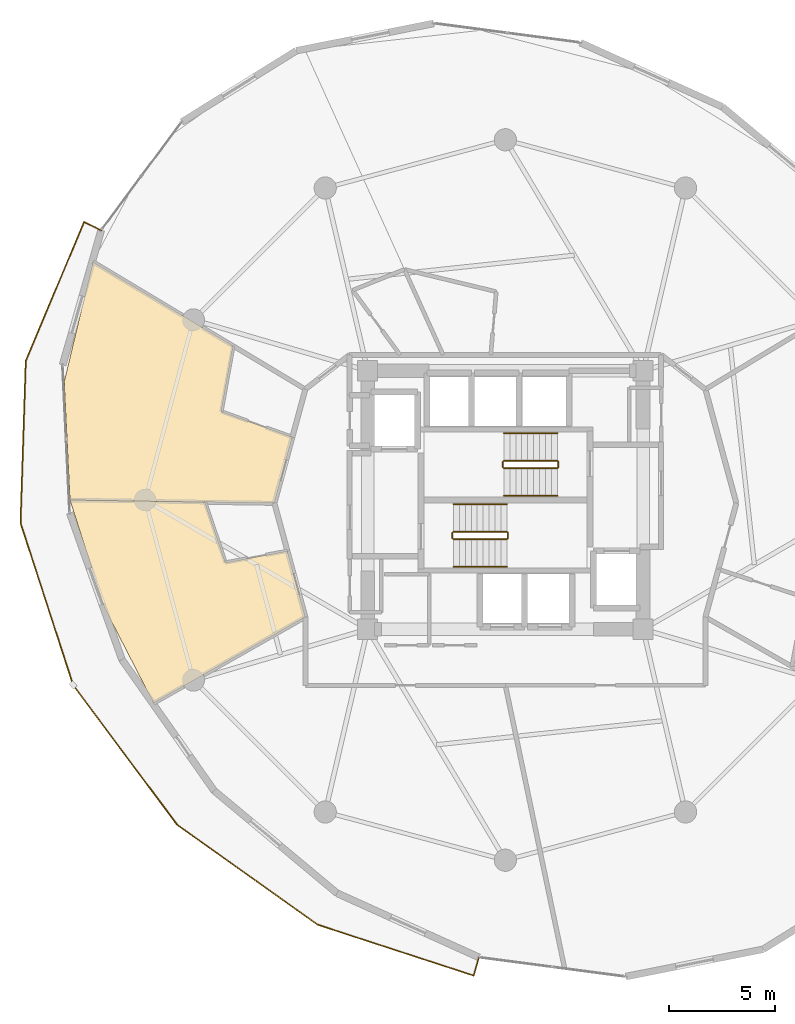
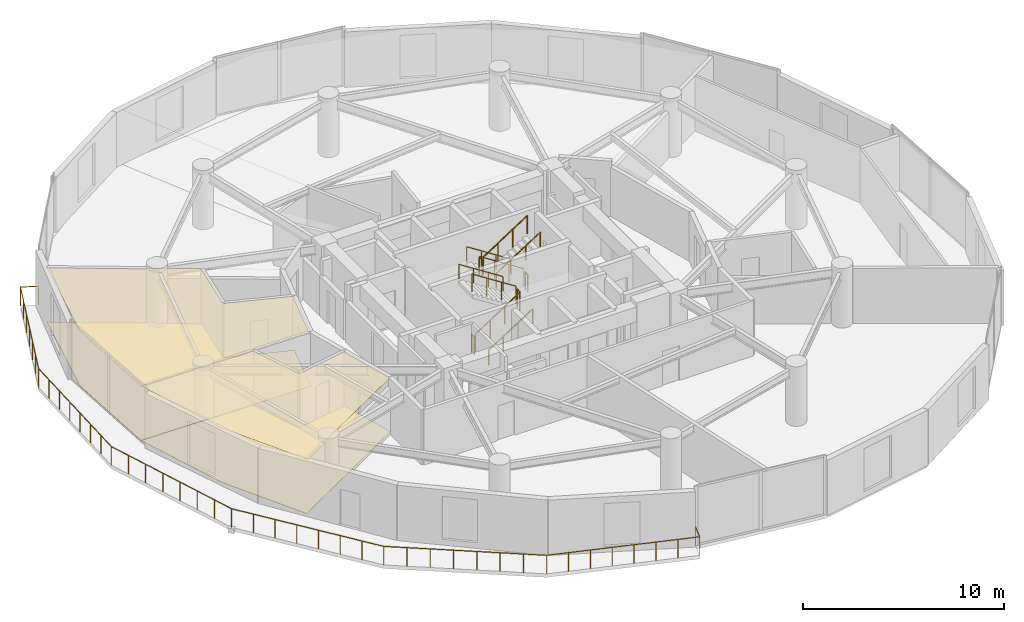
# One storey, part 21 of 22: 13 railings, 4 coverings.
"""IFC4 building model written with IfcOpenShell, lengths in metres."""

from ifc_helpers import new_model, si_unit, direction, frame, origin, origin_2d, place, context, subcontext, project, spatial, polyline, circle, outline, extrude, material, layer, layer_set, type_object, element, save


model = new_model("IFC4")

# Units and contexts
model_context = context("Model", 3, precision=1e-05, world=origin(), true_north=direction((0.0, 1.0)))
body_context = subcontext(model_context, "Body", "Model", "MODEL_VIEW")
ifc_project = project(units=[si_unit("LENGTHUNIT", "METRE"), si_unit("AREAUNIT", "SQUARE_METRE"), si_unit("VOLUMEUNIT", "CUBIC_METRE"), si_unit("PLANEANGLEUNIT", "RADIAN"), si_unit("MASSUNIT", "GRAM", prefix="KILO")], contexts=[model_context])

# Site, building, storey
site_placement = place(None, origin())
site = spatial("IfcSite", under=ifc_project, at=site_placement, CompositionType="ELEMENT")
building_placement = place(site_placement, origin())
building = spatial("IfcBuilding", under=site, at=building_placement, Name="Solvirekh Grand Hotel", CompositionType="ELEMENT")
storey_placement = place(building_placement, frame((0.0, 0.0, 153.0)))
storey = spatial("IfcBuildingStorey", under=building, at=storey_placement, Name="L39", CompositionType="ELEMENT", Elevation=153.0)

# Coverings
ifc_material_1 = material(Name="Acoustic Mineral Ceiling Tile")
ifc_layer_1 = layer(ifc_material_1, 0.02490234375)
ifc_layer_set_1 = layer_set([ifc_layer_1], Name="Acoustic Mineral Ceiling Tile")
covering_type_1 = type_object("IfcCoveringType", Name="Cov_Ceiling_Acoustic", PredefinedType="CEILING", material=ifc_layer_set_1)
covering_1_placement = place(storey_placement, frame((0.0, 0.0, 3.300048828125)))
element("IfcCovering", 1, at=covering_1_placement, inside=storey, type_object=covering_type_1, Name="L39 Deluxe Guestroom 4103 acoustic ceiling", PredefinedType="CEILING", context=body_context, shape_type="SweptSolid", body=[
    extrude(outline(polyline([(-13.406982421875, 4.174072265625), (-12.846923828125, 7.26904296875), (-19.4619140625, 11.236083984375), (-20.819091796875, 5.577880859375), (-20.547119140625, 0.0), (-10.89990234375, -0.14990234375), (-10.052978515625, 2.967041015625), (-13.406982421875, 4.174072265625)])), origin(), (0.0, 0.0, 1.0), 0.01806640625),
])
covering_2_placement = place(storey_placement, frame((0.0, 0.0, 3.300048828125)))
element("IfcCovering", 2, at=covering_2_placement, inside=storey, type_object=covering_type_1, Name="L39 Deluxe Guestroom 4104 acoustic ceiling", PredefinedType="CEILING", context=body_context, shape_type="SweptSolid", body=[
    extrude(outline(polyline([(-13.2119140625, -2.95703125), (-14.179931640625, -0.09912109375), (-20.547119140625, 0.0), (-18.927001953125, -5.071044921875), (-16.60205078125, -9.5849609375), (-9.43994140625, -5.52490234375), (-10.287109375, -2.406982421875), (-13.2119140625, -2.95703125)])), origin(), (0.0, 0.0, 1.0), 0.01806640625),
])
ifc_material_2 = material(Name="Porcelain Stoneware Flooring", Category="masonry")
ifc_layer_2 = layer(ifc_material_2, 0.030029296875)
ifc_layer_set_2 = layer_set([ifc_layer_2], Name="Porcelain Stoneware Flooring")
covering_type_2 = type_object("IfcCoveringType", Name="Cov_Floor_Stone", PredefinedType="FLOORING", material=ifc_layer_set_2)
covering_3_placement = place(storey_placement, origin())
element("IfcCovering", 3, at=covering_3_placement, inside=storey, type_object=covering_type_2, Name="L39 Deluxe Guestroom 4103 polished granite flooring", PredefinedType="FLOORING", context=body_context, shape_type="SweptSolid", body=[
    extrude(outline(polyline([(-13.406982421875, 4.174072265625), (-12.846923828125, 7.26904296875), (-19.4619140625, 11.236083984375), (-20.819091796875, 5.577880859375), (-20.547119140625, 0.0), (-10.89990234375, -0.14990234375), (-10.052978515625, 2.967041015625), (-13.406982421875, 4.174072265625)])), origin(), (0.0, 0.0, 1.0), 0.02001953125),
])
covering_4_placement = place(storey_placement, origin())
element("IfcCovering", 4, at=covering_4_placement, inside=storey, type_object=covering_type_2, Name="L39 Deluxe Guestroom 4104 polished granite flooring", PredefinedType="FLOORING", context=body_context, shape_type="SweptSolid", body=[
    extrude(outline(polyline([(-13.2119140625, -2.95703125), (-14.179931640625, -0.09912109375), (-20.547119140625, 0.0), (-18.927001953125, -5.071044921875), (-16.60205078125, -9.5849609375), (-9.43994140625, -5.52490234375), (-10.287109375, -2.406982421875), (-13.2119140625, -2.95703125)])), origin(), (0.0, 0.0, 1.0), 0.02001953125),
])

# Railings
ifc_material_3 = material(Name="Anodized Bronze Aluminium 6063-T6", Category="aluminium")
railing_type_1 = type_object("IfcRailingType", Name="Guard_ExtGlass_1150", PredefinedType="BALUSTRADE", material=ifc_material_3)
railing_1_placement = place(storey_placement, frame((-19.075927734375, 12.72705078125, 0.0)))
element("IfcRailing", 5, at=railing_1_placement, inside=storey, type_object=railing_type_1, Name="L39 balc perimeter glass balustrade", PredefinedType="BALUSTRADE", context=body_context, shape_type="SweptSolid", body=[
    extrude(circle(Radius=0.02392578125, at=origin_2d()), frame((0.0, 0.0, 1.1259765625), z_axis=(-0.897979581729, 0.44003712434, 0.0), x_axis=(-0.44003712434, -0.897979581729, 0.0)), (0.0, 0.0, 1.0), 0.89990234375),
    extrude(circle(Radius=0.02392578125, at=origin_2d()), frame((-0.80810546875, 0.39599609375, 1.1259765625), z_axis=(-0.38667583898, -0.922215699036, 0.0), x_axis=(0.922215699036, -0.38667583898, 0.0)), (0.0, 0.0, 1.0), 7.114501953125),
    extrude(circle(Radius=0.02392578125, at=origin_2d()), frame((-3.55908203125, -6.1650390625, 1.1259765625), z_axis=(-0.032309194938, -0.999477921678, 0.0), x_axis=(0.999477921678, -0.032309194938, 0.0)), (0.0, 0.0, 1.0), 7.64697265625),
    extrude(circle(Radius=0.02392578125, at=origin_2d()), frame((-3.80615234375, -13.80810546875, 1.1259765625), z_axis=(0.308486140604, -0.951228837376, 0.0), x_axis=(0.951228837376, 0.308486140604, 0.0)), (0.0, 0.0, 1.0), 8.043212890625),
    extrude(circle(Radius=0.02392578125, at=origin_2d()), frame((-1.324951171875, -21.458984375, 1.1259765625), z_axis=(0.597340130723, -0.801988010027, 0.0), x_axis=(0.801988010027, 0.597340130723, 0.0)), (0.0, 0.0, 1.0), 8.2197265625),
    extrude(circle(Radius=0.02392578125, at=origin_2d()), frame((3.5849609375, -28.051025390625, 1.1259765625), z_axis=(0.81443122833, -0.580260091959, 0.0), x_axis=(0.580260091959, 0.81443122833, 0.0)), (0.0, 0.0, 1.0), 8.125732421875),
    extrude(circle(Radius=0.02392578125, at=origin_2d()), frame((10.202880859375, -32.76611328125, 1.1259765625), z_axis=(0.950637469352, -0.310303725186, 0.0), x_axis=(0.310303725186, 0.950637469352, 0.0)), (0.0, 0.0, 1.0), 7.760009765625),
    extrude(circle(Radius=0.02392578125, at=origin_2d()), frame((17.579833984375, -35.174072265625, 1.1259765625), z_axis=(0.277946033205, 0.96059669093, 0.0), x_axis=(-0.96059669093, 0.277946033205, 0.0)), (0.0, 0.0, 1.0), 0.8994140625),
    extrude(circle(Radius=0.02099609375, at=origin_2d()), origin(), (0.0, 0.0, 1.0), 1.101806640625),
    extrude(circle(Radius=0.02099609375, at=origin_2d()), frame((-0.80810546875, 0.39599609375, 0.0)), (0.0, 0.0, 1.0), 1.101806640625),
    extrude(circle(Radius=0.02099609375, at=origin_2d()), frame((-1.2666015625, -0.697509765625, 0.0)), (0.0, 0.0, 1.0), 1.101806640625),
    extrude(circle(Radius=0.02099609375, at=origin_2d()), frame((-1.72509765625, -1.791015625, 0.0)), (0.0, 0.0, 1.0), 1.101806640625),
    extrude(circle(Radius=0.02099609375, at=origin_2d()), frame((-2.18359375, -2.884521484375, 0.0)), (0.0, 0.0, 1.0), 1.101806640625),
    extrude(circle(Radius=0.02099609375, at=origin_2d()), frame((-2.64208984375, -3.97802734375, 0.0)), (0.0, 0.0, 1.0), 1.101806640625),
    extrude(circle(Radius=0.02099609375, at=origin_2d()), frame((-3.1005859375, -5.071533203125, 0.0)), (0.0, 0.0, 1.0), 1.101806640625),
    extrude(circle(Radius=0.02099609375, at=origin_2d()), frame((-3.55908203125, -6.1650390625, 0.0)), (0.0, 0.0, 1.0), 1.101806640625),
    extrude(circle(Radius=0.02099609375, at=origin_2d()), frame((-3.594482421875, -7.2568359375, 0.0)), (0.0, 0.0, 1.0), 1.101806640625),
    extrude(circle(Radius=0.02099609375, at=origin_2d()), frame((-3.629638671875, -8.348876953125, 0.0)), (0.0, 0.0, 1.0), 1.101806640625),
    extrude(circle(Radius=0.02099609375, at=origin_2d()), frame((-3.6650390625, -9.440673828125, 0.0)), (0.0, 0.0, 1.0), 1.101806640625),
    extrude(circle(Radius=0.02099609375, at=origin_2d()), frame((-3.7001953125, -10.532470703125, 0.0)), (0.0, 0.0, 1.0), 1.101806640625),
    extrude(circle(Radius=0.02099609375, at=origin_2d()), frame((-3.735595703125, -11.624267578125, 0.0)), (0.0, 0.0, 1.0), 1.101806640625),
    extrude(circle(Radius=0.02099609375, at=origin_2d()), frame((-3.770751953125, -12.71630859375, 0.0)), (0.0, 0.0, 1.0), 1.101806640625),
    extrude(circle(Radius=0.02099609375, at=origin_2d()), frame((-3.80615234375, -13.80810546875, 0.0)), (0.0, 0.0, 1.0), 1.101806640625),
    extrude(circle(Radius=0.02099609375, at=origin_2d()), frame((-3.45166015625, -14.901123046875, 0.0)), (0.0, 0.0, 1.0), 1.101806640625),
    extrude(circle(Radius=0.02099609375, at=origin_2d()), frame((-3.09716796875, -15.994140625, 0.0)), (0.0, 0.0, 1.0), 1.101806640625),
    extrude(circle(Radius=0.02099609375, at=origin_2d()), frame((-2.74267578125, -17.087158203125, 0.0)), (0.0, 0.0, 1.0), 1.101806640625),
    extrude(circle(Radius=0.02099609375, at=origin_2d()), frame((-2.388427734375, -18.179931640625, 0.0)), (0.0, 0.0, 1.0), 1.101806640625),
    extrude(circle(Radius=0.02099609375, at=origin_2d()), frame((-2.033935546875, -19.27294921875, 0.0)), (0.0, 0.0, 1.0), 1.101806640625),
    extrude(circle(Radius=0.02099609375, at=origin_2d()), frame((-1.679443359375, -20.365966796875, 0.0)), (0.0, 0.0, 1.0), 1.101806640625),
    extrude(circle(Radius=0.02099609375, at=origin_2d()), frame((-1.324951171875, -21.458984375, 0.0)), (0.0, 0.0, 1.0), 1.101806640625),
    extrude(circle(Radius=0.02099609375, at=origin_2d()), frame((-0.62353515625, -22.400634765625, 0.0)), (0.0, 0.0, 1.0), 1.101806640625),
    extrude(circle(Radius=0.02099609375, at=origin_2d()), frame((0.077880859375, -23.342529296875, 0.0)), (0.0, 0.0, 1.0), 1.101806640625),
    extrude(circle(Radius=0.02099609375, at=origin_2d()), frame((0.779296875, -24.2841796875, 0.0)), (0.0, 0.0, 1.0), 1.101806640625),
    extrude(circle(Radius=0.02099609375, at=origin_2d()), frame((1.480712890625, -25.225830078125, 0.0)), (0.0, 0.0, 1.0), 1.101806640625),
    extrude(circle(Radius=0.02099609375, at=origin_2d()), frame((2.18212890625, -26.16748046875, 0.0)), (0.0, 0.0, 1.0), 1.101806640625),
    extrude(circle(Radius=0.02099609375, at=origin_2d()), frame((2.883544921875, -27.109375, 0.0)), (0.0, 0.0, 1.0), 1.101806640625),
    extrude(circle(Radius=0.02099609375, at=origin_2d()), frame((3.5849609375, -28.051025390625, 0.0)), (0.0, 0.0, 1.0), 1.101806640625),
    extrude(circle(Radius=0.02099609375, at=origin_2d()), frame((4.5302734375, -28.724609375, 0.0)), (0.0, 0.0, 1.0), 1.101806640625),
    extrude(circle(Radius=0.02099609375, at=origin_2d()), frame((5.475830078125, -29.398193359375, 0.0)), (0.0, 0.0, 1.0), 1.101806640625),
    extrude(circle(Radius=0.02099609375, at=origin_2d()), frame((6.421142578125, -30.07177734375, 0.0)), (0.0, 0.0, 1.0), 1.101806640625),
    extrude(circle(Radius=0.02099609375, at=origin_2d()), frame((7.36669921875, -30.745361328125, 0.0)), (0.0, 0.0, 1.0), 1.101806640625),
    extrude(circle(Radius=0.02099609375, at=origin_2d()), frame((8.31201171875, -31.4189453125, 0.0)), (0.0, 0.0, 1.0), 1.101806640625),
    extrude(circle(Radius=0.02099609375, at=origin_2d()), frame((9.257568359375, -32.092529296875, 0.0)), (0.0, 0.0, 1.0), 1.101806640625),
    extrude(circle(Radius=0.02099609375, at=origin_2d()), frame((10.202880859375, -32.76611328125, 0.0)), (0.0, 0.0, 1.0), 1.101806640625),
    extrude(circle(Radius=0.02099609375, at=origin_2d()), frame((11.2568359375, -33.110107421875, 0.0)), (0.0, 0.0, 1.0), 1.101806640625),
    extrude(circle(Radius=0.02099609375, at=origin_2d()), frame((12.310546875, -33.4541015625, 0.0)), (0.0, 0.0, 1.0), 1.101806640625),
    extrude(circle(Radius=0.02099609375, at=origin_2d()), frame((13.364501953125, -33.798095703125, 0.0)), (0.0, 0.0, 1.0), 1.101806640625),
    extrude(circle(Radius=0.02099609375, at=origin_2d()), frame((14.418212890625, -34.14208984375, 0.0)), (0.0, 0.0, 1.0), 1.101806640625),
    extrude(circle(Radius=0.02099609375, at=origin_2d()), frame((15.47216796875, -34.486083984375, 0.0)), (0.0, 0.0, 1.0), 1.101806640625),
    extrude(circle(Radius=0.02099609375, at=origin_2d()), frame((16.52587890625, -34.830078125, 0.0)), (0.0, 0.0, 1.0), 1.101806640625),
    extrude(circle(Radius=0.02099609375, at=origin_2d()), frame((17.579833984375, -35.174072265625, 0.0)), (0.0, 0.0, 1.0), 1.101806640625),
    extrude(circle(Radius=0.02099609375, at=origin_2d()), frame((17.829833984375, -34.31005859375, 0.0)), (0.0, 0.0, 1.0), 1.101806640625),
])
ifc_material_4 = material(Name="Steel S355", Category="steel")
railing_type_2 = type_object("IfcRailingType", Name="Guard_Stair_1100", PredefinedType="GUARDRAIL", material=ifc_material_4)
railing_2_placement = place(storey_placement, frame((-2.449951171875, -1.85009765625, 0.179931640625)))
element("IfcRailing", 6, at=railing_2_placement, inside=storey, type_object=railing_type_2, Name="L39 ST-1 stair guard 1", PredefinedType="GUARDRAIL", context=body_context, shape_type="SweptSolid", body=[
    extrude(circle(Radius=0.02392578125, at=origin_2d()), frame((0.0, 0.0, 1.076171875), z_axis=(0.841162588446, 0.0, 0.540782303519), x_axis=(0.0, 1.0, 0.0)), (0.0, 0.0, 1.0), 2.995849609375),
    extrude(circle(Radius=0.02099609375, at=origin_2d()), origin(), (0.0, 0.0, 1.0), 1.052001953125),
    extrude(circle(Radius=0.02099609375, at=origin_2d()), frame((0.840087890625, 0.0, 0.5400390625)), (0.0, 0.0, 1.0), 1.052001953125),
    extrude(circle(Radius=0.02099609375, at=origin_2d()), frame((1.679931640625, 0.0, 1.080078125)), (0.0, 0.0, 1.0), 1.052001953125),
    extrude(circle(Radius=0.02099609375, at=origin_2d()), frame((2.52001953125, 0.0, 1.6201171875)), (0.0, 0.0, 1.0), 1.052001953125),
])
railing_3_placement = place(storey_placement, frame((0.1201171875, -1.800048828125, 1.800048828125)))
element("IfcRailing", 7, at=railing_3_placement, inside=storey, type_object=railing_type_2, Name="L39 ST-1 stair guard 2", PredefinedType="GUARDRAIL", context=body_context, shape_type="SweptSolid", body=[
    extrude(circle(Radius=0.02392578125, at=origin_2d()), frame((0.0, 0.0, 1.076171875), z_axis=(0.0, 1.0, 0.0), x_axis=(-1.0, 0.0, 0.0)), (0.0, 0.0, 1.0), 0.25),
    extrude(circle(Radius=0.02099609375, at=origin_2d()), origin(), (0.0, 0.0, 1.0), 1.052001953125),
    extrude(circle(Radius=0.02099609375, at=origin_2d()), frame((0.0, 0.25, 0.0)), (0.0, 0.0, 1.0), 1.052001953125),
])
railing_4_placement = place(storey_placement, frame((0.070068359375, -1.5, 1.97998046875)))
element("IfcRailing", 8, at=railing_4_placement, inside=storey, type_object=railing_type_2, Name="L39 ST-1 stair guard 3", PredefinedType="GUARDRAIL", context=body_context, shape_type="SweptSolid", body=[
    extrude(circle(Radius=0.02392578125, at=origin_2d()), frame((0.0, 0.0, 1.076171875), z_axis=(-0.841162588446, 0.0, 0.540782303519), x_axis=(0.0, -1.0, 0.0)), (0.0, 0.0, 1.0), 2.995849609375),
    extrude(circle(Radius=0.02099609375, at=origin_2d()), origin(), (0.0, 0.0, 1.0), 1.052001953125),
    extrude(circle(Radius=0.02099609375, at=origin_2d()), frame((-0.840087890625, 0.0, 0.5400390625)), (0.0, 0.0, 1.0), 1.052001953125),
    extrude(circle(Radius=0.02099609375, at=origin_2d()), frame((-1.679931640625, 0.0, 1.080078125)), (0.0, 0.0, 1.0), 1.052001953125),
    extrude(circle(Radius=0.02099609375, at=origin_2d()), frame((-2.52001953125, 0.0, 1.6201171875)), (0.0, 0.0, 1.0), 1.052001953125),
])
railing_5_placement = place(storey_placement, frame((-2.5, -1.800048828125, 0.0)))
element("IfcRailing", 9, at=railing_5_placement, inside=storey, type_object=railing_type_2, Name="L39 ST-1 stair guard 4", PredefinedType="GUARDRAIL", context=body_context, shape_type="SweptSolid", body=[
    extrude(circle(Radius=0.02392578125, at=origin_2d()), frame((0.0, 0.0, 1.076171875), z_axis=(0.0, 1.0, 0.0), x_axis=(-1.0, 0.0, 0.0)), (0.0, 0.0, 1.0), 0.25),
    extrude(circle(Radius=0.02099609375, at=origin_2d()), origin(), (0.0, 0.0, 1.0), 1.052001953125),
    extrude(circle(Radius=0.02099609375, at=origin_2d()), frame((0.0, 0.25, 0.0)), (0.0, 0.0, 1.0), 1.052001953125),
])
railing_6_placement = place(storey_placement, frame((2.449951171875, 1.85009765625, 0.179931640625)))
element("IfcRailing", 10, at=railing_6_placement, inside=storey, type_object=railing_type_2, Name="L39 ST-2 stair guard 1", PredefinedType="GUARDRAIL", context=body_context, shape_type="SweptSolid", body=[
    extrude(circle(Radius=0.02392578125, at=origin_2d()), frame((0.0, 0.0, 1.076171875), z_axis=(-0.841162588446, 0.0, 0.540782303519), x_axis=(0.0, -1.0, 0.0)), (0.0, 0.0, 1.0), 2.995849609375),
    extrude(circle(Radius=0.02099609375, at=origin_2d()), origin(), (0.0, 0.0, 1.0), 1.052001953125),
    extrude(circle(Radius=0.02099609375, at=origin_2d()), frame((-0.840087890625, 0.0, 0.5400390625)), (0.0, 0.0, 1.0), 1.052001953125),
    extrude(circle(Radius=0.02099609375, at=origin_2d()), frame((-1.679931640625, 0.0, 1.080078125)), (0.0, 0.0, 1.0), 1.052001953125),
    extrude(circle(Radius=0.02099609375, at=origin_2d()), frame((-2.52001953125, 0.0, 1.6201171875)), (0.0, 0.0, 1.0), 1.052001953125),
])
railing_7_placement = place(storey_placement, frame((-0.1201171875, 1.800048828125, 1.800048828125)))
element("IfcRailing", 11, at=railing_7_placement, inside=storey, type_object=railing_type_2, Name="L39 ST-2 stair guard 2", PredefinedType="GUARDRAIL", context=body_context, shape_type="SweptSolid", body=[
    extrude(circle(Radius=0.02392578125, at=origin_2d()), frame((0.0, 0.0, 1.076171875), z_axis=(0.0, -1.0, 0.0), x_axis=(1.0, 0.0, 0.0)), (0.0, 0.0, 1.0), 0.25),
    extrude(circle(Radius=0.02099609375, at=origin_2d()), origin(), (0.0, 0.0, 1.0), 1.052001953125),
    extrude(circle(Radius=0.02099609375, at=origin_2d()), frame((0.0, -0.25, 0.0)), (0.0, 0.0, 1.0), 1.052001953125),
])
railing_8_placement = place(storey_placement, frame((-0.070068359375, 1.5, 1.97998046875)))
element("IfcRailing", 12, at=railing_8_placement, inside=storey, type_object=railing_type_2, Name="L39 ST-2 stair guard 3", PredefinedType="GUARDRAIL", context=body_context, shape_type="SweptSolid", body=[
    extrude(circle(Radius=0.02392578125, at=origin_2d()), frame((0.0, 0.0, 1.076171875), z_axis=(0.841162588446, 0.0, 0.540782303519), x_axis=(0.0, 1.0, 0.0)), (0.0, 0.0, 1.0), 2.995849609375),
    extrude(circle(Radius=0.02099609375, at=origin_2d()), origin(), (0.0, 0.0, 1.0), 1.052001953125),
    extrude(circle(Radius=0.02099609375, at=origin_2d()), frame((0.840087890625, 0.0, 0.5400390625)), (0.0, 0.0, 1.0), 1.052001953125),
    extrude(circle(Radius=0.02099609375, at=origin_2d()), frame((1.679931640625, 0.0, 1.080078125)), (0.0, 0.0, 1.0), 1.052001953125),
    extrude(circle(Radius=0.02099609375, at=origin_2d()), frame((2.52001953125, 0.0, 1.6201171875)), (0.0, 0.0, 1.0), 1.052001953125),
])
railing_9_placement = place(storey_placement, frame((2.5, 1.800048828125, 0.0)))
element("IfcRailing", 13, at=railing_9_placement, inside=storey, type_object=railing_type_2, Name="L39 ST-2 stair guard 4", PredefinedType="GUARDRAIL", context=body_context, shape_type="SweptSolid", body=[
    extrude(circle(Radius=0.02392578125, at=origin_2d()), frame((0.0, 0.0, 1.076171875), z_axis=(0.0, -1.0, 0.0), x_axis=(1.0, 0.0, 0.0)), (0.0, 0.0, 1.0), 0.25),
    extrude(circle(Radius=0.02099609375, at=origin_2d()), origin(), (0.0, 0.0, 1.0), 1.052001953125),
    extrude(circle(Radius=0.02099609375, at=origin_2d()), frame((0.0, -0.25, 0.0)), (0.0, 0.0, 1.0), 1.052001953125),
])
railing_type_3 = type_object("IfcRailingType", Name="Handrail_Wall_900", PredefinedType="HANDRAIL", material=ifc_material_3)
railing_10_placement = place(storey_placement, frame((-2.449951171875, -3.14990234375, 0.179931640625)))
element("IfcRailing", 14, at=railing_10_placement, inside=storey, type_object=railing_type_3, Name="L39 ST-1 stair handrail 1", PredefinedType="HANDRAIL", context=body_context, shape_type="SweptSolid", body=[
    extrude(circle(Radius=0.02392578125, at=origin_2d()), frame((0.0, 0.0, 0.8759765625), z_axis=(0.841162588446, 0.0, 0.540782303519), x_axis=(0.0, 1.0, 0.0)), (0.0, 0.0, 1.0), 2.995849609375),
    extrude(circle(Radius=0.02099609375, at=origin_2d()), origin(), (0.0, 0.0, 1.0), 0.851806640625),
    extrude(circle(Radius=0.02099609375, at=origin_2d()), frame((0.840087890625, 0.0, 0.5400390625)), (0.0, 0.0, 1.0), 0.851806640625),
    extrude(circle(Radius=0.02099609375, at=origin_2d()), frame((1.679931640625, 0.0, 1.080078125)), (0.0, 0.0, 1.0), 0.851806640625),
    extrude(circle(Radius=0.02099609375, at=origin_2d()), frame((2.52001953125, 0.0, 1.6201171875)), (0.0, 0.0, 1.0), 0.851806640625),
])
for number, where, name in (
    (15, (0.070068359375, -0.199951171875, 1.97998046875), "L39 ST-1 stair handrail 2"),
    (16, (2.449951171875, 3.14990234375, 0.179931640625), "L39 ST-2 stair handrail 1"),
):
    element("IfcRailing", number, at=place(storey_placement, frame(where)), inside=storey, type_object=railing_type_3, Name=name, PredefinedType="HANDRAIL", context=body_context, shape_type="SweptSolid", body=[
        extrude(circle(Radius=0.02392578125, at=origin_2d()), frame((0.0, 0.0, 0.8759765625), z_axis=(-0.841162588446, 0.0, 0.540782303519), x_axis=(0.0, -1.0, 0.0)), (0.0, 0.0, 1.0), 2.995849609375),
        extrude(circle(Radius=0.02099609375, at=origin_2d()), origin(), (0.0, 0.0, 1.0), 0.851806640625),
        extrude(circle(Radius=0.02099609375, at=origin_2d()), frame((-0.840087890625, 0.0, 0.5400390625)), (0.0, 0.0, 1.0), 0.851806640625),
        extrude(circle(Radius=0.02099609375, at=origin_2d()), frame((-1.679931640625, 0.0, 1.080078125)), (0.0, 0.0, 1.0), 0.851806640625),
        extrude(circle(Radius=0.02099609375, at=origin_2d()), frame((-2.52001953125, 0.0, 1.6201171875)), (0.0, 0.0, 1.0), 0.851806640625),
    ])
railing_11_placement = place(storey_placement, frame((-0.070068359375, 0.199951171875, 1.97998046875)))
element("IfcRailing", 17, at=railing_11_placement, inside=storey, type_object=railing_type_3, Name="L39 ST-2 stair handrail 2", PredefinedType="HANDRAIL", context=body_context, shape_type="SweptSolid", body=[
    extrude(circle(Radius=0.02392578125, at=origin_2d()), frame((0.0, 0.0, 0.8759765625), z_axis=(0.841162588446, 0.0, 0.540782303519), x_axis=(0.0, 1.0, 0.0)), (0.0, 0.0, 1.0), 2.995849609375),
    extrude(circle(Radius=0.02099609375, at=origin_2d()), origin(), (0.0, 0.0, 1.0), 0.851806640625),
    extrude(circle(Radius=0.02099609375, at=origin_2d()), frame((0.840087890625, 0.0, 0.5400390625)), (0.0, 0.0, 1.0), 0.851806640625),
    extrude(circle(Radius=0.02099609375, at=origin_2d()), frame((1.679931640625, 0.0, 1.080078125)), (0.0, 0.0, 1.0), 0.851806640625),
    extrude(circle(Radius=0.02099609375, at=origin_2d()), frame((2.52001953125, 0.0, 1.6201171875)), (0.0, 0.0, 1.0), 0.851806640625),
])

save(model, "model.ifc")
